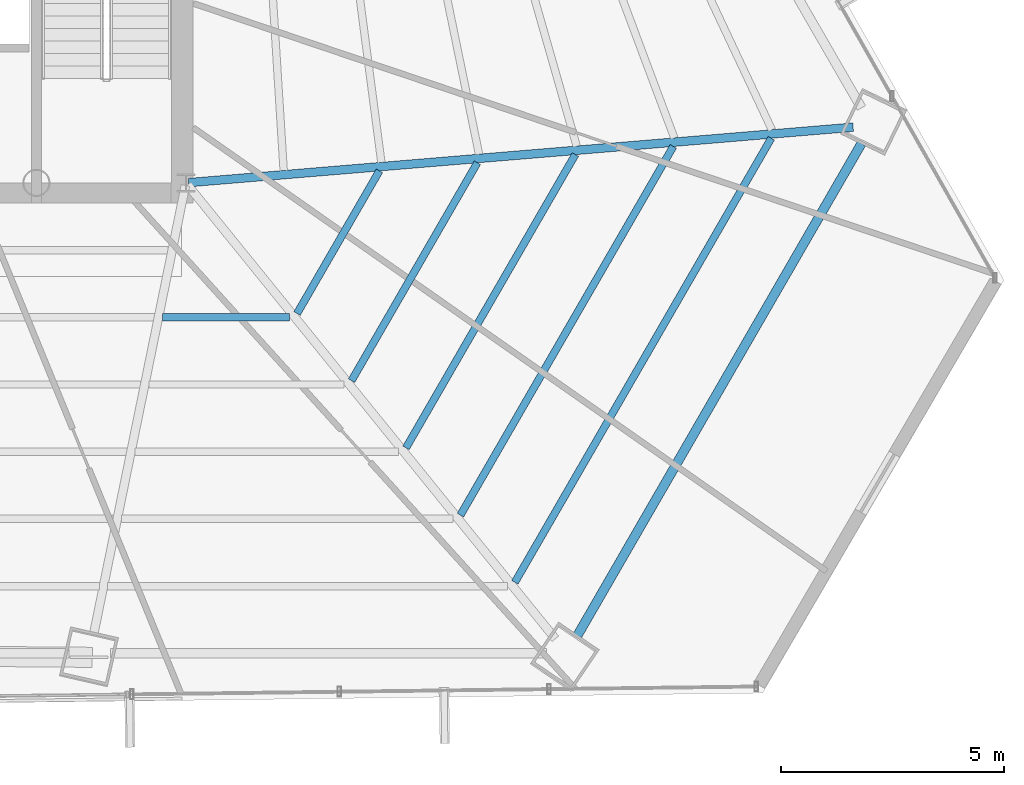
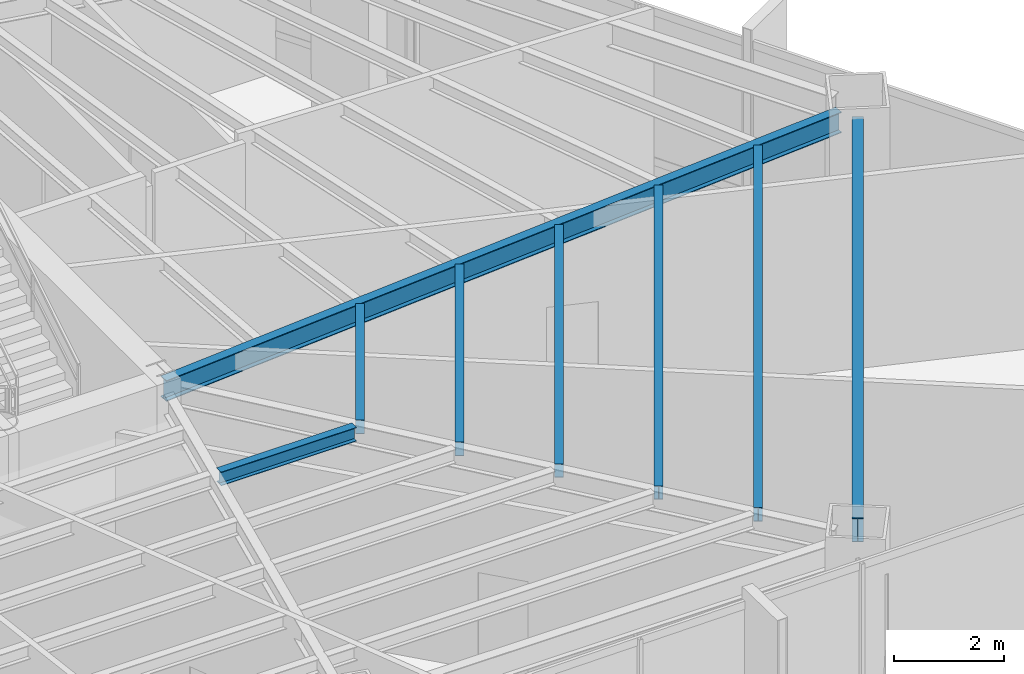
# One storey, part 17 of 37: 8 beams.
"""IFC4 building model written with IfcOpenShell, lengths in metres."""

from ifc_helpers import new_model, si_unit, direction, frame, origin, origin_2d, place, context, subcontext, project, spatial, i_section, extrude, source, transform, mapped, material, material_profile, profile_set, type_object, type_shapes, element, save


model = new_model("IFC4")

# Units and contexts
model_context = context("Model", 3, precision=1e-05, world=origin(), true_north=direction((0.0, 1.0)))
body_context = subcontext(model_context, "Body", "Model", "MODEL_VIEW")
ifc_project = project(units=[si_unit("LENGTHUNIT", "METRE"), si_unit("AREAUNIT", "SQUARE_METRE"), si_unit("VOLUMEUNIT", "CUBIC_METRE"), si_unit("PLANEANGLEUNIT", "RADIAN"), si_unit("MASSUNIT", "GRAM", prefix="KILO")], contexts=[model_context])

# Site, building, storey
site_placement = place(None, origin())
site = spatial("IfcSite", under=ifc_project, at=site_placement, CompositionType="ELEMENT")
building_placement = place(site_placement, origin())
building = spatial("IfcBuilding", under=site, at=building_placement, Name="Caelisora Broadcast Tower", CompositionType="ELEMENT")
storey_placement = place(building_placement, frame((0.0, 0.0, 127.300048828125)))
storey = spatial("IfcBuildingStorey", under=building, at=storey_placement, Name="L33", CompositionType="ELEMENT", Elevation=127.300048828125)

# Beams
ifc_material = material(Name="Steel Grade 350 (AS/NZS 3679.1)", Category="steel")
ifc_material_profile_1 = material_profile(ifc_material, i_section(OverallWidth=0.208984375, OverallDepth=0.532958984375, WebThickness=0.01025390625, FlangeThickness=0.015625, at=origin_2d()), Name="Steel Grade 350 (AS/NZS 3679.1)")
ifc_profile_set_1 = profile_set([ifc_material_profile_1], Name="Steel Grade 350 (AS/NZS 3679.1)")
beam_type_1 = type_object("IfcBeamType", Name="PG05", PredefinedType="BEAM", material=ifc_profile_set_1)
shared_shape_1 = source(origin(), body_context, "Body", "SweptSolid", [
    extrude(i_section(OverallWidth=0.208984375, OverallDepth=0.532958984375, WebThickness=0.01025390625, FlangeThickness=0.015625, at=origin_2d()), origin(), (0.0, 0.0, 1.0), 12.724853515625),
])
type_shapes(beam_type_1, [shared_shape_1])
beam_1_placement = place(storey_placement, frame((54.265625, 7.26220703125, 3.9833984375), z_axis=(0.5000081092, 0.866020721885, 0.0), x_axis=(-0.866020721885, 0.5000081092, 0.0)))
element("IfcBeam", 1, at=beam_1_placement, inside=storey, type_object=beam_type_1, Name="L33 beam PG05", PredefinedType="BEAM", context=body_context, shape_type="MappedRepresentation", body=[
    mapped(shared_shape_1, transform((0.0, 0.0, 0.0), scale=1.0)),
])
ifc_material_profile_2 = material_profile(ifc_material, i_section(OverallWidth=0.19091796875, OverallDepth=0.46044921875, WebThickness=0.010009765625, FlangeThickness=0.01611328125, at=origin_2d()), Name="Steel Grade 350 (AS/NZS 3679.1)")
ifc_profile_set_2 = profile_set([ifc_material_profile_2], Name="Steel Grade 350 (AS/NZS 3679.1)")
beam_type_2 = type_object("IfcBeamType", Name="PG06", PredefinedType="BEAM", material=ifc_profile_set_2)
shared_shape_2 = source(origin(), body_context, "Body", "SweptSolid", [
    extrude(i_section(OverallWidth=0.19091796875, OverallDepth=0.46044921875, WebThickness=0.010009765625, FlangeThickness=0.01611328125, at=origin_2d()), origin(), (0.0, 0.0, 1.0), 14.931640625),
])
type_shapes(beam_type_2, [shared_shape_2])
beam_2_placement = place(storey_placement, frame((45.559814453125, 17.405029296875, 4.019775390625), z_axis=(0.996541697573, 0.083094193527, 0.0), x_axis=(-0.083094193527, 0.996541697573, 0.0)))
element("IfcBeam", 2, at=beam_2_placement, inside=storey, type_object=beam_type_2, Name="L33 beam PG06", PredefinedType="BEAM", context=body_context, shape_type="MappedRepresentation", body=[
    mapped(shared_shape_2, transform((0.0, 0.0, 0.0), scale=1.0)),
])
ifc_material_profile_3 = material_profile(ifc_material, i_section(OverallWidth=0.166015625, OverallDepth=0.30712890625, WebThickness=0.006591796875, FlangeThickness=0.01171875, at=origin_2d()), Name="Steel Grade 350 (AS/NZS 3679.1)")
ifc_profile_set_3 = profile_set([ifc_material_profile_3], Name="Steel Grade 350 (AS/NZS 3679.1)")
beam_type_3 = type_object("IfcBeamType", Name="SB03", PredefinedType="JOIST", material=ifc_profile_set_3)
shared_shape_3 = source(origin(), body_context, "Body", "SweptSolid", [
    extrude(i_section(OverallWidth=0.166015625, OverallDepth=0.30712890625, WebThickness=0.006591796875, FlangeThickness=0.01171875, at=origin_2d()), origin(), (0.0, 0.0, 1.0), 3.68603515625),
])
beam_3_placement = place(storey_placement, frame((47.98828125, 14.4755859375, 4.096435546875), z_axis=(0.50000721447, 0.866021238468, 0.0), x_axis=(-0.866021238468, 0.50000721447, 0.0)))
element("IfcBeam", 3, at=beam_3_placement, inside=storey, type_object=beam_type_3, Name="L33 beam SB03", PredefinedType="JOIST", context=body_context, shape_type="MappedRepresentation", body=[
    mapped(shared_shape_3, transform((0.0, 0.0, 0.0), scale=1.0)),
])
shared_shape_4 = source(origin(), body_context, "Body", "SweptSolid", [
    extrude(i_section(OverallWidth=0.166015625, OverallDepth=0.30712890625, WebThickness=0.006591796875, FlangeThickness=0.01171875, at=origin_2d()), origin(), (0.0, 0.0, 1.0), 5.63525390625),
])
beam_4_placement = place(storey_placement, frame((49.207763671875, 12.970458984375, 4.096435546875), z_axis=(0.499992465616, 0.866029753719, 0.0), x_axis=(-0.866029753719, 0.499992465616, 0.0)))
element("IfcBeam", 4, at=beam_4_placement, inside=storey, type_object=beam_type_3, Name="L33 beam SB03", PredefinedType="JOIST", context=body_context, shape_type="MappedRepresentation", body=[
    mapped(shared_shape_4, transform((0.0, 0.0, 0.0), scale=1.0)),
])
shared_shape_5 = source(origin(), body_context, "Body", "SweptSolid", [
    extrude(i_section(OverallWidth=0.166015625, OverallDepth=0.30712890625, WebThickness=0.006591796875, FlangeThickness=0.01171875, at=origin_2d()), origin(), (0.0, 0.0, 1.0), 7.58447265625),
])
beam_5_placement = place(storey_placement, frame((50.42724609375, 11.46533203125, 4.096435546875), z_axis=(0.499999236088, 0.866025844829, 0.0), x_axis=(-0.866025844829, 0.499999236088, 0.0)))
element("IfcBeam", 5, at=beam_5_placement, inside=storey, type_object=beam_type_3, Name="L33 beam SB03", PredefinedType="JOIST", context=body_context, shape_type="MappedRepresentation", body=[
    mapped(shared_shape_5, transform((0.0, 0.0, 0.0), scale=1.0)),
])
shared_shape_6 = source(origin(), body_context, "Body", "SweptSolid", [
    extrude(i_section(OverallWidth=0.166015625, OverallDepth=0.30712890625, WebThickness=0.006591796875, FlangeThickness=0.01171875, at=origin_2d()), origin(), (0.0, 0.0, 1.0), 9.533935546875),
])
beam_6_placement = place(storey_placement, frame((51.646484375, 9.960205078125, 4.096435546875), z_axis=(0.499992149519, 0.866029936214, 0.0), x_axis=(-0.866029936214, 0.499992149519, 0.0)))
element("IfcBeam", 6, at=beam_6_placement, inside=storey, type_object=beam_type_3, Name="L33 beam SB03", PredefinedType="JOIST", context=body_context, shape_type="MappedRepresentation", body=[
    mapped(shared_shape_6, transform((0.0, 0.0, 0.0), scale=1.0)),
])
shared_shape_7 = source(origin(), body_context, "Body", "SweptSolid", [
    extrude(i_section(OverallWidth=0.166015625, OverallDepth=0.30712890625, WebThickness=0.006591796875, FlangeThickness=0.01171875, at=origin_2d()), origin(), (0.0, 0.0, 1.0), 11.48291015625),
])
beam_7_placement = place(storey_placement, frame((52.865966796875, 8.455078125, 4.096435546875), z_axis=(0.499996675058, 0.866027323432, 0.0), x_axis=(-0.866027323432, 0.499996675058, 0.0)))
element("IfcBeam", 7, at=beam_7_placement, inside=storey, type_object=beam_type_3, Name="L33 beam SB03", PredefinedType="JOIST", context=body_context, shape_type="MappedRepresentation", body=[
    mapped(shared_shape_7, transform((0.0, 0.0, 0.0), scale=1.0)),
])
shared_shape_8 = source(origin(), body_context, "Body", "SweptSolid", [
    extrude(i_section(OverallWidth=0.166015625, OverallDepth=0.30712890625, WebThickness=0.006591796875, FlangeThickness=0.01171875, at=origin_2d()), origin(), (0.0, 0.0, 1.0), 2.840087890625),
])
type_shapes(beam_type_3, [shared_shape_3, shared_shape_4, shared_shape_5, shared_shape_6, shared_shape_7, shared_shape_8])
beam_8_placement = place(storey_placement, frame((44.978759765625, 14.3896484375, 4.096435546875), z_axis=(1.0, 0.0, 0.0), x_axis=(0.0, 1.0, 0.0)))
element("IfcBeam", 8, at=beam_8_placement, inside=storey, type_object=beam_type_3, Name="L33 beam SB03", PredefinedType="JOIST", context=body_context, shape_type="MappedRepresentation", body=[
    mapped(shared_shape_8, transform((0.0, 0.0, 0.0), scale=1.0)),
])

save(model, "model.ifc")
